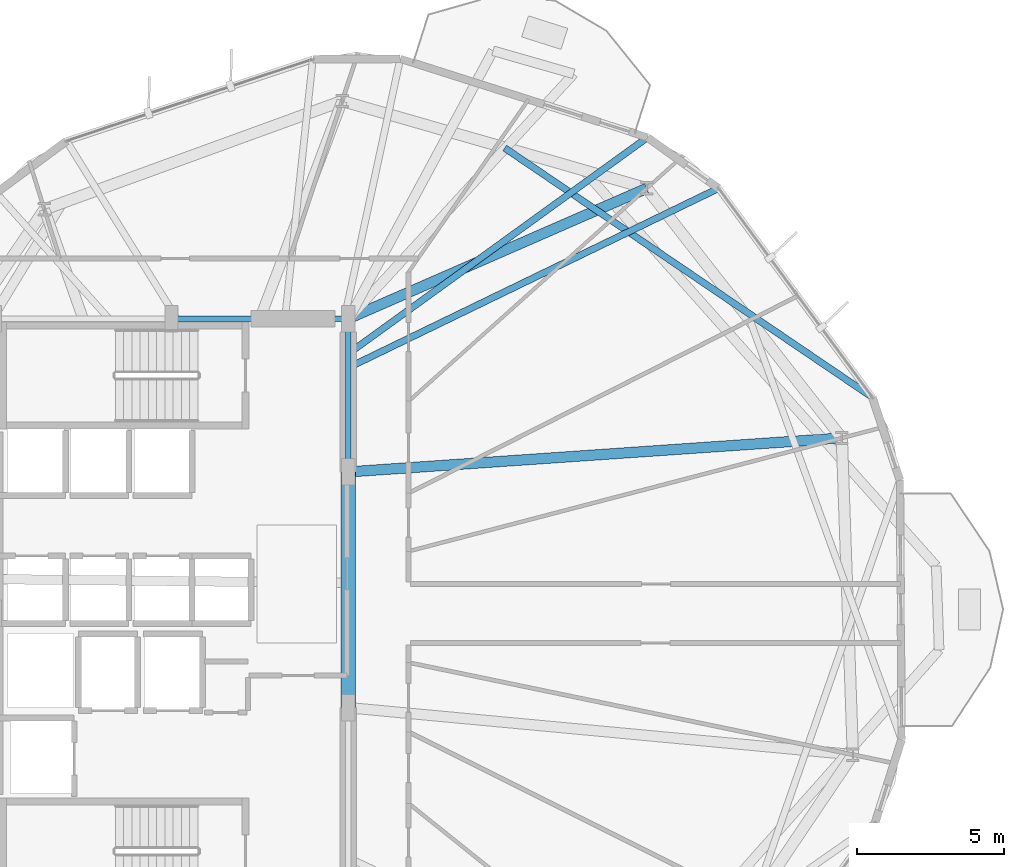
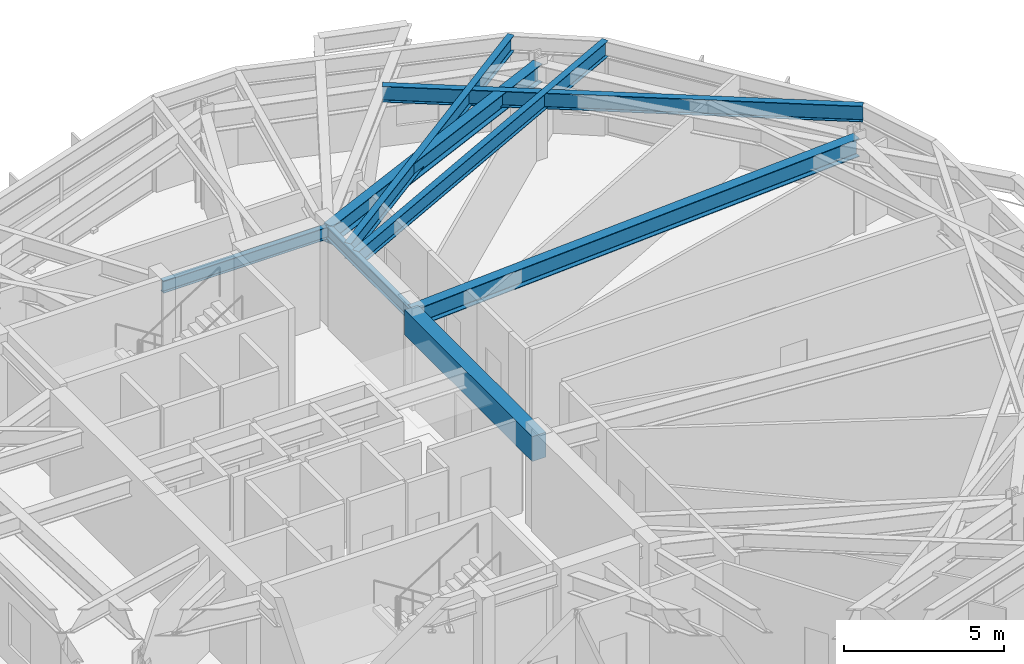
# One storey, part 11 of 27: 8 beams.
"""IFC4 building model written with IfcOpenShell, lengths in metres."""

from ifc_helpers import new_model, si_unit, direction, frame, origin, origin_2d, place, context, subcontext, project, spatial, rectangle, i_section, extrude, material, material_profile, profile_set, type_object, element, save


model = new_model("IFC4")

# Units and contexts
model_context = context("Model", 3, precision=1e-05, world=origin(), true_north=direction((0.0, 1.0)))
body_context = subcontext(model_context, "Body", "Model", "MODEL_VIEW")
ifc_project = project(units=[si_unit("LENGTHUNIT", "METRE"), si_unit("AREAUNIT", "SQUARE_METRE"), si_unit("VOLUMEUNIT", "CUBIC_METRE"), si_unit("PLANEANGLEUNIT", "RADIAN"), si_unit("MASSUNIT", "GRAM", prefix="KILO")], contexts=[model_context])

# Site, building, storey
site_placement = place(None, origin())
site = spatial("IfcSite", under=ifc_project, at=site_placement, CompositionType="ELEMENT")
building_placement = place(site_placement, origin())
building = spatial("IfcBuilding", under=site, at=building_placement, Name="Soratama Intermodal Tower", CompositionType="ELEMENT")
storey_placement = place(building_placement, frame((0.0, 0.0, 99.10009765625)))
storey = spatial("IfcBuildingStorey", under=building, at=storey_placement, Name="L23", CompositionType="ELEMENT", Elevation=99.10009765625)

# Beams
ifc_material_1 = material(Name="Concrete f'c 56 MPa", Category="concrete")
ifc_material_profile_1 = material_profile(ifc_material_1, rectangle(XDim=0.5, YDim=0.949951171875, at=origin_2d()), Name="RC500X950")
ifc_profile_set_1 = profile_set([ifc_material_profile_1], Name="Concrete f'c 56 MPa")
beam_type_1 = type_object("IfcBeamType", Name="BM-CPL-RC500X950", PredefinedType="BEAM", material=ifc_profile_set_1)
beam_1_placement = place(storey_placement, frame((44.60009765625, 21.800048828125, 3.125), z_axis=(0.0, 1.0, 0.0), x_axis=(-1.0, 0.0, 0.0)))
element("IfcBeam", 1, at=beam_1_placement, inside=storey, type_object=beam_type_1, Name="L23 Core Coupling Beam East", PredefinedType="BEAM", context=body_context, shape_type="SweptSolid", body=[
    extrude(rectangle(XDim=0.5, YDim=0.949951171875, at=origin_2d()), origin(), (0.0, 0.0, 1.0), 8.0),
])
ifc_material_2 = material(Name="Structural steel ASTM A992 Grade 50", Category="steel")
ifc_material_profile_2 = material_profile(ifc_material_2, i_section(OverallWidth=0.19091796875, OverallDepth=0.4599609375, WebThickness=0.010009765625, FlangeThickness=0.01611328125, FilletRadius=0.010986328125, at=origin_2d()), Name="W18X55")
ifc_profile_set_2 = profile_set([ifc_material_profile_2], Name="Structural steel ASTM A992 Grade 50")
beam_type_2 = type_object("IfcBeamType", Name="BM-FLR-W18X55", PredefinedType="BEAM", material=ifc_profile_set_2)
beam_2_placement = place(storey_placement, frame((44.60009765625, 29.800048828125, 3.369873046875), z_axis=(0.0, 1.0, 0.0), x_axis=(-1.0, 0.0, 0.0)))
element("IfcBeam", 2, at=beam_2_placement, inside=storey, type_object=beam_type_2, Name="BM-L23-CRING-05", PredefinedType="BEAM", context=body_context, shape_type="SweptSolid", body=[
    extrude(i_section(OverallWidth=0.19091796875, OverallDepth=0.4599609375, WebThickness=0.010009765625, FlangeThickness=0.01611328125, FilletRadius=0.010986328125, at=origin_2d()), origin(), (0.0, 0.0, 1.0), 5.199951171875),
])
beam_3_placement = place(storey_placement, frame((44.60009765625, 35.0, 3.369873046875), z_axis=(-1.0, 0.0, 0.0), x_axis=(0.0, -1.0, 0.0)))
element("IfcBeam", 3, at=beam_3_placement, inside=storey, type_object=beam_type_2, Name="BM-L23-CRING-06", PredefinedType="BEAM", context=body_context, shape_type="SweptSolid", body=[
    extrude(i_section(OverallWidth=0.19091796875, OverallDepth=0.4599609375, WebThickness=0.010009765625, FlangeThickness=0.01611328125, FilletRadius=0.010986328125, at=origin_2d()), origin(), (0.0, 0.0, 1.0), 6.0),
])
ifc_material_3 = material(Name="Structural steel ASTM A992 Grade 50", Category="steel")
ifc_material_profile_3 = material_profile(ifc_material_3, i_section(OverallWidth=0.35498046875, OverallDepth=0.695068359375, WebThickness=0.015380859375, FlangeThickness=0.02490234375, FilletRadius=0.01611328125, at=origin_2d()), Name="W27X146")
ifc_profile_set_3 = profile_set([ifc_material_profile_3], Name="Structural steel ASTM A992 Grade 50")
beam_type_3 = type_object("IfcBeamType", Name="BM-RING-W27X146", PredefinedType="BEAM", material=ifc_profile_set_3)
beam_4_placement = place(storey_placement, frame((44.60009765625, 29.800048828125, 3.25244140625), z_axis=(0.99764812202, 0.06854359656, 0.0), x_axis=(-0.06854359656, 0.99764812202, 0.0)))
element("IfcBeam", 4, at=beam_4_placement, inside=storey, type_object=beam_type_3, Name="BM-L23-RAD-01", PredefinedType="BEAM", context=body_context, shape_type="SweptSolid", body=[
    extrude(i_section(OverallWidth=0.35498046875, OverallDepth=0.695068359375, WebThickness=0.015380859375, FlangeThickness=0.02490234375, FilletRadius=0.01611328125, at=origin_2d()), origin(), (0.0, 0.0, 1.0), 16.79052734375),
])
beam_5_placement = place(storey_placement, frame((44.60009765625, 35.0, 3.25244140625), z_axis=(0.91638224797, 0.400304353718, 0.0), x_axis=(-0.400304353718, 0.91638224797, 0.0)))
element("IfcBeam", 5, at=beam_5_placement, inside=storey, type_object=beam_type_3, Name="BM-L23-RAD-02", PredefinedType="BEAM", context=body_context, shape_type="SweptSolid", body=[
    extrude(i_section(OverallWidth=0.35498046875, OverallDepth=0.695068359375, WebThickness=0.015380859375, FlangeThickness=0.02490234375, FilletRadius=0.01611328125, at=origin_2d()), origin(), (0.0, 0.0, 1.0), 11.05419921875),
])
ifc_material_4 = material(Name="Structural steel ASTM A992 Grade 50", Category="steel")
ifc_material_profile_4 = material_profile(ifc_material_4, i_section(OverallWidth=0.22900390625, OverallDepth=0.612060546875, WebThickness=0.011962890625, FlangeThickness=0.01953125, FilletRadius=0.012939453125, at=origin_2d()), Name="W24X84")
ifc_profile_set_4 = profile_set([ifc_material_profile_4], Name="Structural steel ASTM A992 Grade 50")
beam_type_4 = type_object("IfcBeamType", Name="BM-TIE-W24X84", PredefinedType="BEAM", material=ifc_profile_set_4)
beam_6_placement = place(storey_placement, frame((49.907958984375, 40.794921875, 3.2939453125), z_axis=(0.827730931445, -0.561125213414, 0.0), x_axis=(0.561125213414, 0.827730931445, 0.0)))
element("IfcBeam", 6, at=beam_6_placement, inside=storey, type_object=beam_type_4, Name="BM-L23-TIE0-01", PredefinedType="BEAM", context=body_context, shape_type="SweptSolid", body=[
    extrude(i_section(OverallWidth=0.22900390625, OverallDepth=0.612060546875, WebThickness=0.011962890625, FlangeThickness=0.01953125, FilletRadius=0.012939453125, at=origin_2d()), origin(), (0.0, 0.0, 1.0), 15.07861328125),
])
beam_7_placement = place(storey_placement, frame((44.635986328125, 33.35400390625, 3.2939453125), z_axis=(0.899929408213, 0.43603561808, 0.0), x_axis=(-0.43603561808, 0.899929408213, 0.0)))
element("IfcBeam", 7, at=beam_7_placement, inside=storey, type_object=beam_type_4, Name="BM-L23-TIE1-01", PredefinedType="BEAM", context=body_context, shape_type="SweptSolid", body=[
    extrude(i_section(OverallWidth=0.22900390625, OverallDepth=0.612060546875, WebThickness=0.011962890625, FlangeThickness=0.01953125, FilletRadius=0.012939453125, at=origin_2d()), origin(), (0.0, 0.0, 1.0), 13.925537109375),
])
beam_8_placement = place(storey_placement, frame((44.632080078125, 33.833984375, 3.2939453125), z_axis=(0.81038132893, 0.585902809109, 0.0), x_axis=(-0.585902809109, 0.81038132893, 0.0)))
element("IfcBeam", 8, at=beam_8_placement, inside=storey, type_object=beam_type_4, Name="BM-L23-TIE0-02", PredefinedType="BEAM", context=body_context, shape_type="SweptSolid", body=[
    extrude(i_section(OverallWidth=0.22900390625, OverallDepth=0.612060546875, WebThickness=0.011962890625, FlangeThickness=0.01953125, FilletRadius=0.012939453125, at=origin_2d()), origin(), (0.0, 0.0, 1.0), 12.495361328125),
])

save(model, "model.ifc")
